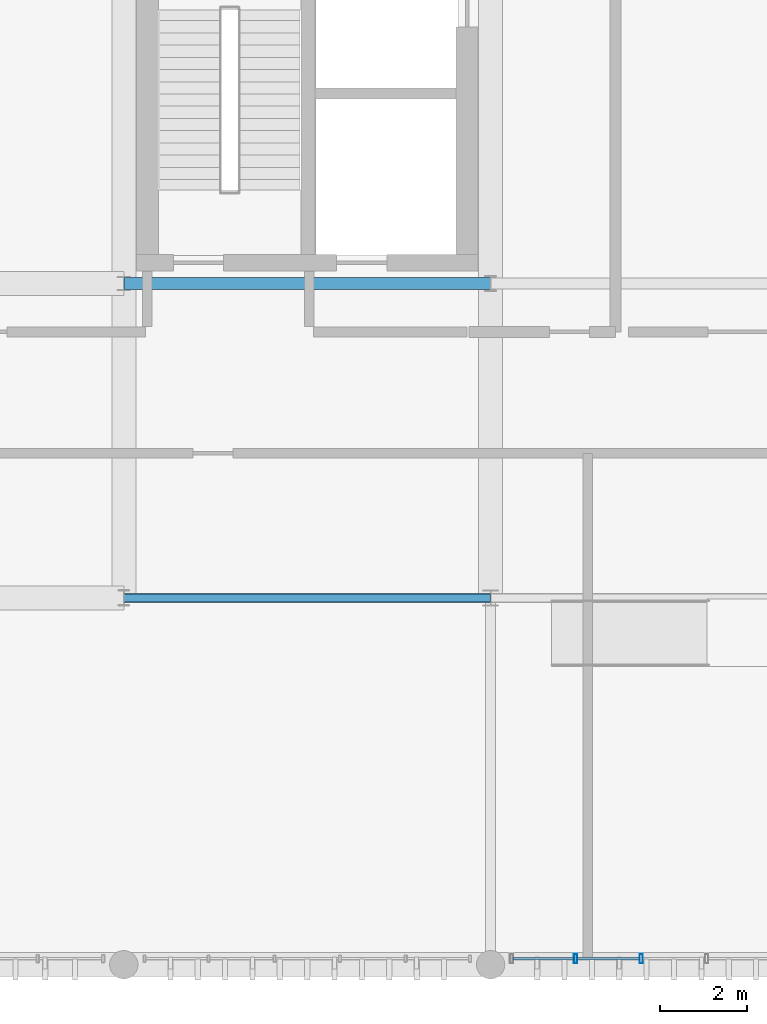
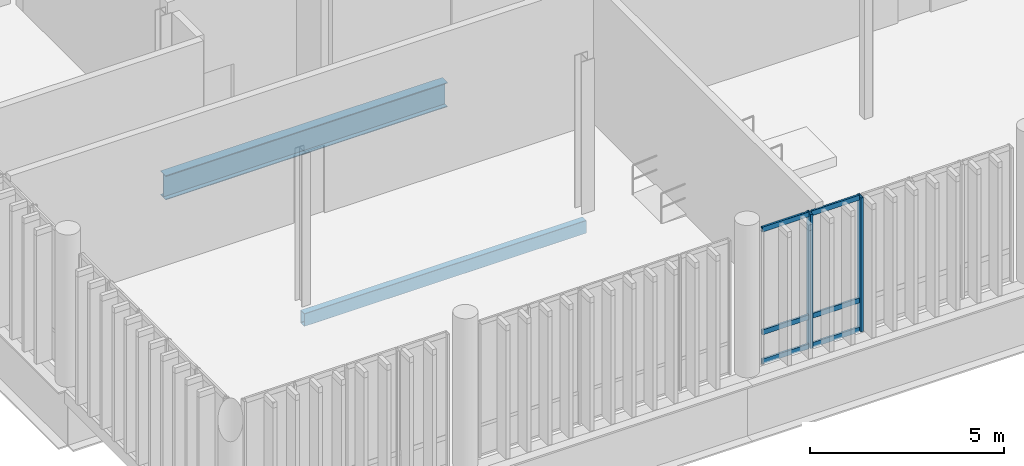
# One storey, part 9 of 81: 8 members, 2 beams, 1 element without a shape of its own.
"""IFC4 building model written with IfcOpenShell, lengths in metres."""

from ifc_helpers import new_model, si_unit, direction, frame, origin_with_axes, origin_2d_with_axis, place, context, subcontext, project, spatial, hollow_rectangle, i_section, extrude, material, material_profile, profile_set, type_object, element, aggregate, save


model = new_model("IFC4")

# Units and contexts
model_context = context("Model", 3, precision=1e-05, world=origin_with_axes(), true_north=direction((0.0, 1.0)))
body_context = subcontext(model_context, "Body", "Model", "MODEL_VIEW")
ifc_project = project(units=[si_unit("LENGTHUNIT", "METRE"), si_unit("AREAUNIT", "SQUARE_METRE"), si_unit("VOLUMEUNIT", "CUBIC_METRE"), si_unit("PLANEANGLEUNIT", "RADIAN"), si_unit("MASSUNIT", "GRAM", prefix="KILO"), si_unit("THERMODYNAMICTEMPERATUREUNIT", "KELVIN")], contexts=[model_context])

# Site, building, storey
site_placement = place(None, origin_with_axes())
site = spatial("IfcSite", under=ifc_project, at=site_placement, CompositionType="ELEMENT")
building_placement = place(site_placement, origin_with_axes())
building = spatial("IfcBuilding", under=site, at=building_placement, Name="Montbau Bow Law Courts", CompositionType="ELEMENT")
storey_placement = place(building_placement, frame((0.0, 0.0, 24.9), z_axis=(0.0, 0.0, 1.0), x_axis=(1.0, 0.0, 0.0)))
storey = spatial("IfcBuildingStorey", under=building, at=storey_placement, Name="L05", CompositionType="ELEMENT", Elevation=24.9)

# Beams
ifc_material_1 = material(Name="Steel CSA G40.21 Grade 350W (350 MPa)", Category="steel")
ifc_material_profile_1 = material_profile(ifc_material_1, i_section(OverallWidth=0.267, OverallDepth=0.766, WebThickness=0.0149, FlangeThickness=0.0236, at=origin_2d_with_axis()), Name="W760X185", Category="Main", Priority=0)
ifc_profile_set_1 = profile_set([ifc_material_profile_1], Name="Steel CSA G40.21 Grade 350W (350 MPa)")
beam_type_1 = type_object("IfcBeamType", Name="B-FLR-03", PredefinedType="BEAM", material=ifc_profile_set_1)
beam_1_placement = place(None, frame((13.8, 46.2, 24.217), z_axis=(1.0, 0.0, 0.0), x_axis=(0.0, 1.0, 0.0)))
element("IfcBeam", 1, at=beam_1_placement, inside=storey, type_object=beam_type_1, Name="BM-L05-S0656:bm2_0659", PredefinedType="BEAM", context=body_context, shape_type="SweptSolid", body=[
    extrude(i_section(OverallWidth=0.267, OverallDepth=0.766, WebThickness=0.0149, FlangeThickness=0.0236, at=origin_2d_with_axis()), origin_with_axes(), (0.0, 0.0, 1.0), 8.4),
])
ifc_material_2 = material(Name="Steel CSA G40.21 Grade 350WT (350 MPa)", Category="steel")
ifc_material_profile_2 = material_profile(ifc_material_2, hollow_rectangle(XDim=0.203, YDim=0.406, WallThickness=0.0127, InnerFilletRadius=0.0254, OuterFilletRadius=0.0127, at=origin_2d_with_axis()), Name="HSS406X203X13", Category="Main", Priority=0)
ifc_profile_set_2 = profile_set([ifc_material_profile_2], Name="Steel CSA G40.21 Grade 350WT (350 MPa)")
beam_type_2 = type_object("IfcBeamType", Name="B-SPN-01", PredefinedType="SPANDREL", material=ifc_profile_set_2)
beam_2_placement = place(None, frame((13.8, 39.0, 24.397), z_axis=(1.0, 0.0, 0.0), x_axis=(0.0, 1.0, 0.0)))
element("IfcBeam", 2, at=beam_2_placement, inside=storey, type_object=beam_type_2, Name="SPN-L05-S0653:bm2_0656", PredefinedType="SPANDREL", context=body_context, shape_type="SweptSolid", body=[
    extrude(hollow_rectangle(XDim=0.203, YDim=0.406, WallThickness=0.0127, InnerFilletRadius=0.0254, OuterFilletRadius=0.0127, at=origin_2d_with_axis()), origin_with_axes(), (0.0, 0.0, 1.0), 8.4),
])

# Curtain wall, members
ifc_material_3 = material(Name="Thermally Broken Extruded Aluminium AA 6063-T6", Category="aluminium")
curtain_wall_type = type_object("IfcCurtainWallType", Name="CW-TRC-02", PredefinedType="NOTDEFINED", material=ifc_material_3)
curtain_wall_placement = place(None, frame((22.64, 30.74, 24.9), z_axis=(0.0, 0.0, 1.0), x_axis=(1.0, 0.0, 0.0)))
curtain_wall = element("IfcCurtainWall", 3, at=curtain_wall_placement, inside=storey, type_object=curtain_wall_type, Name="CW-L05-078:cw_0078", PredefinedType="NOTDEFINED")
ifc_material_profile_3 = material_profile(ifc_material_3, hollow_rectangle(XDim=0.075, YDim=0.22, WallThickness=0.005, InnerFilletRadius=0.01, OuterFilletRadius=0.005, at=origin_2d_with_axis()), Name="CWM-220X75", Category="Main", Priority=0)
ifc_profile_set_3 = profile_set([ifc_material_profile_3], Name="Thermally Broken Extruded Aluminium AA 6063-T6")
member_type_1 = type_object("IfcMemberType", Name="M-MUL-01", PredefinedType="MULLION", material=ifc_profile_set_3)
member_1_placement = place(None, frame((24.144, 30.74, 24.9), z_axis=(0.0, 0.0, 1.0), x_axis=(1.0, 0.0, 0.0)))
member_1 = element("IfcMember", 4, at=member_1_placement, type_object=member_type_1, Name="CW-L05-078-M02:cw_0078_M02", PredefinedType="MULLION", context=body_context, shape_type="SweptSolid", body=[
    extrude(hollow_rectangle(XDim=0.075, YDim=0.22, WallThickness=0.005, InnerFilletRadius=0.01, OuterFilletRadius=0.005, at=origin_2d_with_axis()), origin_with_axes(), (0.0, 0.0, 1.0), 4.22),
])
member_2_placement = place(None, frame((25.648, 30.74, 24.9), z_axis=(0.0, 0.0, 1.0), x_axis=(1.0, 0.0, 0.0)))
member_2 = element("IfcMember", 5, at=member_2_placement, type_object=member_type_1, Name="CW-L05-078-M03:cw_0078_M03", PredefinedType="MULLION", context=body_context, shape_type="SweptSolid", body=[
    extrude(hollow_rectangle(XDim=0.075, YDim=0.22, WallThickness=0.005, InnerFilletRadius=0.01, OuterFilletRadius=0.005, at=origin_2d_with_axis()), origin_with_axes(), (0.0, 0.0, 1.0), 4.22),
])
ifc_material_profile_4 = material_profile(ifc_material_3, hollow_rectangle(XDim=0.06, YDim=0.16, WallThickness=0.004, InnerFilletRadius=0.008, OuterFilletRadius=0.004, at=origin_2d_with_axis()), Name="CWT-160X60", Category="Main", Priority=0)
ifc_profile_set_4 = profile_set([ifc_material_profile_4], Name="Thermally Broken Extruded Aluminium AA 6063-T6")
member_type_2 = type_object("IfcMemberType", Name="M-TRN-01", PredefinedType="USERDEFINED", material=ifc_profile_set_4)
member_3_placement = place(None, frame((22.716, 30.74, 24.93), z_axis=(1.0, 0.0, 0.0), x_axis=(0.0, 1.0, 0.0)))
member_3 = element("IfcMember", 6, at=member_3_placement, type_object=member_type_2, Name="CW-L05-078-T01-1:cw_0078_T01_1", ObjectType="TRANSOM", PredefinedType="USERDEFINED", context=body_context, shape_type="SweptSolid", body=[
    extrude(hollow_rectangle(XDim=0.06, YDim=0.16, WallThickness=0.004, InnerFilletRadius=0.008, OuterFilletRadius=0.004, at=origin_2d_with_axis()), origin_with_axes(), (0.0, 0.0, 1.0), 1.388),
])
member_4_placement = place(None, frame((22.716, 30.74, 25.85), z_axis=(1.0, 0.0, 0.0), x_axis=(0.0, 1.0, 0.0)))
member_4 = element("IfcMember", 7, at=member_4_placement, type_object=member_type_2, Name="CW-L05-078-T01-2:cw_0078_T01_2", ObjectType="TRANSOM", PredefinedType="USERDEFINED", context=body_context, shape_type="SweptSolid", body=[
    extrude(hollow_rectangle(XDim=0.06, YDim=0.16, WallThickness=0.004, InnerFilletRadius=0.008, OuterFilletRadius=0.004, at=origin_2d_with_axis()), origin_with_axes(), (0.0, 0.0, 1.0), 1.388),
])
member_5_placement = place(None, frame((22.716, 30.74, 29.09), z_axis=(1.0, 0.0, 0.0), x_axis=(0.0, 1.0, 0.0)))
member_5 = element("IfcMember", 8, at=member_5_placement, type_object=member_type_2, Name="CW-L05-078-T01-3:cw_0078_T01_3", ObjectType="TRANSOM", PredefinedType="USERDEFINED", context=body_context, shape_type="SweptSolid", body=[
    extrude(hollow_rectangle(XDim=0.06, YDim=0.16, WallThickness=0.004, InnerFilletRadius=0.008, OuterFilletRadius=0.004, at=origin_2d_with_axis()), origin_with_axes(), (0.0, 0.0, 1.0), 1.388),
])
member_6_placement = place(None, frame((24.184, 30.74, 24.93), z_axis=(1.0, 0.0, 0.0), x_axis=(0.0, 1.0, 0.0)))
member_6 = element("IfcMember", 9, at=member_6_placement, type_object=member_type_2, Name="CW-L05-078-T02-1:cw_0078_T02_1", ObjectType="TRANSOM", PredefinedType="USERDEFINED", context=body_context, shape_type="SweptSolid", body=[
    extrude(hollow_rectangle(XDim=0.06, YDim=0.16, WallThickness=0.004, InnerFilletRadius=0.008, OuterFilletRadius=0.004, at=origin_2d_with_axis()), origin_with_axes(), (0.0, 0.0, 1.0), 1.425),
])
member_7_placement = place(None, frame((24.184, 30.74, 25.85), z_axis=(1.0, 0.0, 0.0), x_axis=(0.0, 1.0, 0.0)))
member_7 = element("IfcMember", 10, at=member_7_placement, type_object=member_type_2, Name="CW-L05-078-T02-2:cw_0078_T02_2", ObjectType="TRANSOM", PredefinedType="USERDEFINED", context=body_context, shape_type="SweptSolid", body=[
    extrude(hollow_rectangle(XDim=0.06, YDim=0.16, WallThickness=0.004, InnerFilletRadius=0.008, OuterFilletRadius=0.004, at=origin_2d_with_axis()), origin_with_axes(), (0.0, 0.0, 1.0), 1.425),
])
member_8_placement = place(None, frame((24.184, 30.74, 29.09), z_axis=(1.0, 0.0, 0.0), x_axis=(0.0, 1.0, 0.0)))
member_8 = element("IfcMember", 11, at=member_8_placement, type_object=member_type_2, Name="CW-L05-078-T02-3:cw_0078_T02_3", ObjectType="TRANSOM", PredefinedType="USERDEFINED", context=body_context, shape_type="SweptSolid", body=[
    extrude(hollow_rectangle(XDim=0.06, YDim=0.16, WallThickness=0.004, InnerFilletRadius=0.008, OuterFilletRadius=0.004, at=origin_2d_with_axis()), origin_with_axes(), (0.0, 0.0, 1.0), 1.425),
])
aggregate(curtain_wall, [member_1, member_2, member_3, member_4, member_5, member_6, member_7, member_8])

save(model, "model.ifc")
